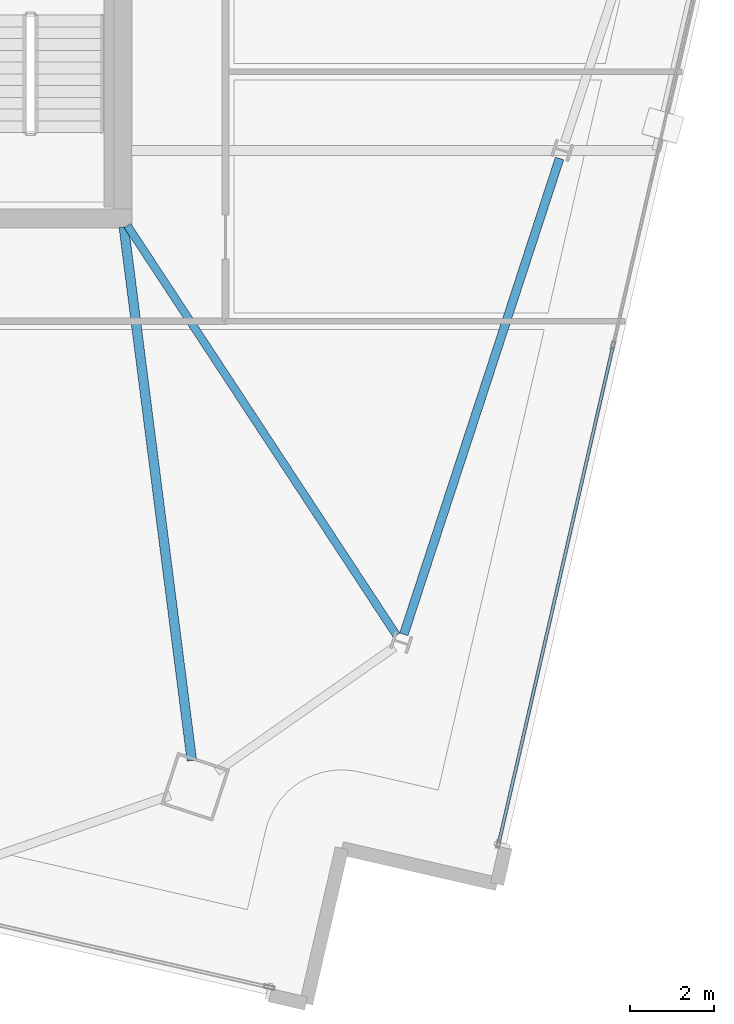
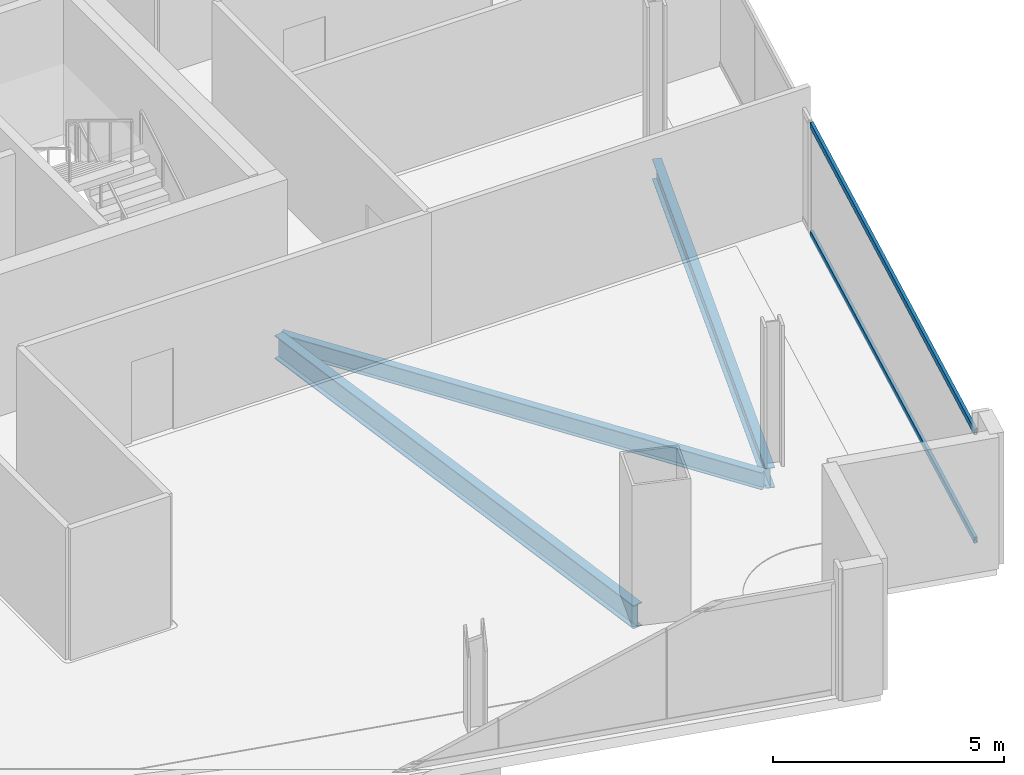
# One storey, part 9 of 28: 3 beams, 2 members, 1 element without a shape of its own.
"""IFC4 building model written with IfcOpenShell, lengths in metres."""

import ifcopenshell
import ifcopenshell.guid

model = None  # the IFC model being written
_history = None  # IfcOwnerHistory: only IFC2X3 demands one
_inside = {}  # id of a spatial element -> (the spatial element, [elements in it])
_under = {}  # id of a project, library or spatial element -> (it, [spatial elements below it])
_declared = {}  # id of a project -> (the project, [libraries it declares])
_typed = {}  # id of a type object -> (the type object, [elements of that type])
_made_of = {}  # id of a material, layer set ... -> (it, [elements and type objects made of it])


def new_model(schema):
    """Start an empty IFC model of exactly this schema.

    Asked for "IFC4X3", IfcOpenShell would pick the latest addendum, in which some entities
    have other attributes; the version numbers below select the first issue.
    IFC2X3 requires an IfcOwnerHistory on every rooted entity: one is made here for all.
    """
    global model, _history
    if schema == "IFC4X3":
        model = ifcopenshell.file(schema_version=(4, 3, 0, 0))
    else:
        model = ifcopenshell.file(schema=schema)
    _inside.clear()
    _under.clear()
    _declared.clear()
    _typed.clear()
    _made_of.clear()
    _history = None
    if model.schema == "IFC2X3":
        org = make("IfcOrganization", Name="unknown")
        user = make(
            "IfcPersonAndOrganization",
            ThePerson=make("IfcPerson", FamilyName="unknown"),
            TheOrganization=org,
        )
        app = make(
            "IfcApplication",
            ApplicationDeveloper=org,
            Version="unknown",
            ApplicationFullName="unknown",
            ApplicationIdentifier="unknown",
        )
        _history = make(
            "IfcOwnerHistory",
            OwningUser=user,
            OwningApplication=app,
            ChangeAction="ADDED",
            CreationDate=0,
        )
    return model


def make(cls, **values):
    """One entity of the class cls with the attributes given. An attribute that is None is left unset."""
    return model.create_entity(
        cls, **{name: value for name, value in values.items() if value is not None}
    )


def rooted(cls, **values):
    """An entity with a GlobalId (a new one), such as an element, a storey or a relation."""
    return make(cls, GlobalId=ifcopenshell.guid.new(), OwnerHistory=_history, **values)


def si_unit(unit_type, name, prefix=None):
    """IfcSIUnit, for example si_unit("LENGTHUNIT", "METRE", prefix="MILLI")."""
    return make("IfcSIUnit", UnitType=unit_type, Prefix=prefix, Name=name)


def assignment(units):
    """IfcUnitAssignment: the units of a project."""
    return None if units is None else make("IfcUnitAssignment", Units=units)


def point(xyz):
    """IfcCartesianPoint."""
    return None if xyz is None else make("IfcCartesianPoint", Coordinates=xyz)


def direction(xyz):
    """IfcDirection."""
    return None if xyz is None else make("IfcDirection", DirectionRatios=xyz)


def frame(location, z_axis=None, x_axis=None):
    """IfcAxis2Placement3D, a coordinate frame: its origin and axes. An axis left out is left unset."""
    return make(
        "IfcAxis2Placement3D",
        Location=point(location),
        Axis=direction(z_axis),
        RefDirection=direction(x_axis),
    )


def frame_2d(location, x_axis=None):
    """IfcAxis2Placement2D, a coordinate frame in the plane: its origin and x axis."""
    return make(
        "IfcAxis2Placement2D", Location=point(location), RefDirection=direction(x_axis)
    )


def origin():
    """The frame at (0, 0, 0) with its axes left unset."""
    return frame((0.0, 0.0, 0.0))


def origin_2d():
    """The frame at (0, 0) in the plane with its x axis left unset."""
    return frame_2d((0.0, 0.0))


def place(relative_to, where):
    """IfcLocalPlacement: puts the frame where relative to a parent placement (None: the world)."""
    return make(
        "IfcLocalPlacement", PlacementRelTo=relative_to, RelativePlacement=where
    )


def context(
    kind, dimensions, precision=None, world=None, true_north=None, identifier=None
):
    """IfcGeometricRepresentationContext, for example the 3D "Model" context."""
    return make(
        "IfcGeometricRepresentationContext",
        ContextIdentifier=identifier,
        ContextType=kind,
        CoordinateSpaceDimension=dimensions,
        Precision=precision,
        WorldCoordinateSystem=world,
        TrueNorth=true_north,
    )


def subcontext(parent, identifier, kind, view, scale=None):
    """IfcGeometricRepresentationSubContext, for example "Body" below "Model"."""
    return make(
        "IfcGeometricRepresentationSubContext",
        ContextIdentifier=identifier,
        ContextType=kind,
        ParentContext=parent,
        TargetScale=scale,
        TargetView=view,
    )


def project(units=None, contexts=None):
    """IfcProject with its units and contexts."""
    return rooted(
        "IfcProject",
        Name="project",
        RepresentationContexts=contexts,
        UnitsInContext=assignment(units),
    )


def spatial(cls, under=None, at=None, **own):
    """A site, building, storey or space (cls), placed at a placement, below another one or the project."""
    s = rooted(cls, ObjectPlacement=at, **own)
    if under is not None:
        _under.setdefault(under.id(), (under, []))[1].append(s)
    return s


def profile(cls, at=None, kind="AREA", **sizes):
    """A parametric profile (cls). Its sizes go by their IFC names, for example OverallWidth=200.0."""
    return make(cls, ProfileType=kind, Position=at, **sizes)


def hollow_rectangle(**sizes):
    """IfcRectangleHollowProfileDef."""
    return profile("IfcRectangleHollowProfileDef", **sizes)


def i_section(**sizes):
    """IfcIShapeProfileDef."""
    return profile("IfcIShapeProfileDef", **sizes)


def extrude(swept, where, along, depth):
    """IfcExtrudedAreaSolid: the profile swept, set in the frame where, extruded along a direction by depth."""
    return make(
        "IfcExtrudedAreaSolid",
        SweptArea=swept,
        Position=where,
        ExtrudedDirection=direction(along),
        Depth=depth,
    )


def shape(context_of_items, identifier, shape_type, items):
    """IfcShapeRepresentation: the items that make up one representation, for example the "Body"."""
    return make(
        "IfcShapeRepresentation",
        ContextOfItems=context_of_items,
        RepresentationIdentifier=identifier,
        RepresentationType=shape_type,
        Items=items,
    )


def material(Name=None, Category=None):
    """IfcMaterial."""
    return make("IfcMaterial", Name=Name, Category=Category)


def material_profile(
    of_material, cross_section, Name=None, Category=None, Priority=None
):
    """IfcMaterialProfile: a cross section and its material."""
    return make(
        "IfcMaterialProfile",
        Name=Name,
        Material=of_material,
        Profile=cross_section,
        Priority=Priority,
        Category=Category,
    )


def profile_set(profiles, Name=None, composite=None):
    """IfcMaterialProfileSet."""
    return make(
        "IfcMaterialProfileSet",
        Name=Name,
        MaterialProfiles=profiles,
        CompositeProfile=composite,
    )


def made_of(thing, what):
    """Note that an element or type object is made of a material, layer set ...; save() writes the relation."""
    if what is not None:
        _made_of.setdefault(what.id(), (what, []))[1].append(thing)
    return thing


def type_object(cls, material=None, **own):
    """A type object (cls), such as IfcWallType, which elements share."""
    return made_of(rooted(cls, **own), material)


def element(
    cls,
    number,
    at=None,
    inside=None,
    cuts=None,
    type_object=None,
    material=None,
    context=None,
    identifier="Body",
    shape_type=None,
    held_by="IfcProductDefinitionShape",
    body=None,
    shapes=None,
    **own,
):
    """One element of the class cls, such as IfcWall. Its Tag is "e" and its number.

    at: its placement. inside: the storey or other place that contains it. cuts: it is an
    opening in that element (IfcRelVoidsElement). A single representation is given by context,
    identifier, shape_type and body (its items); several are given by shapes. held_by: the class
    of the entity that holds the representations. save() writes the other relations.
    """
    e = rooted(cls, Tag="e%d" % number, ObjectPlacement=at, **own)
    if body is not None:
        shapes = [shape(context, identifier, shape_type, body)]
    if shapes is not None:
        e.Representation = make(held_by, Representations=shapes)
    if inside is not None:
        _inside.setdefault(inside.id(), (inside, []))[1].append(e)
    if cuts is not None:
        rooted(
            "IfcRelVoidsElement", RelatingBuildingElement=cuts, RelatedOpeningElement=e
        )
    if type_object is not None:
        _typed.setdefault(type_object.id(), (type_object, []))[1].append(e)
    return made_of(e, material)


def aggregate(whole, parts):
    """IfcRelAggregates: a whole, such as a stair, and the parts it consists of."""
    return rooted("IfcRelAggregates", RelatingObject=whole, RelatedObjects=parts)


def save(model, path):
    """Write the relations noted so far, then the file.

    IfcRelAggregates (storeys below a building ...), IfcRelContainedInSpatialStructure (elements
    in a storey), IfcRelDefinesByType, IfcRelAssociatesMaterial and IfcRelDeclares: one each for
    every whole, place, type object, material and project.
    """
    for whole, parts in _under.values():
        aggregate(whole, parts)
    for where, things in _inside.values():
        rooted(
            "IfcRelContainedInSpatialStructure",
            RelatedElements=things,
            RelatingStructure=where,
        )
    for kind, things in _typed.values():
        rooted("IfcRelDefinesByType", RelatedObjects=things, RelatingType=kind)
    for what, things in _made_of.values():
        rooted("IfcRelAssociatesMaterial", RelatedObjects=things, RelatingMaterial=what)
    for by, libraries in _declared.values():
        rooted("IfcRelDeclares", RelatingContext=by, RelatedDefinitions=libraries)
    model.write(path)


model = new_model("IFC4")

# Units and contexts
model_context = context("Model", 3, precision=1e-05, world=origin(), true_north=direction((0.0, 1.0)))
body_context = subcontext(model_context, "Body", "Model", "MODEL_VIEW")
ifc_project = project(units=[si_unit("LENGTHUNIT", "METRE"), si_unit("AREAUNIT", "SQUARE_METRE"), si_unit("VOLUMEUNIT", "CUBIC_METRE"), si_unit("PLANEANGLEUNIT", "RADIAN"), si_unit("MASSUNIT", "GRAM", prefix="KILO")], contexts=[model_context])

# Site, building, storey
site_placement = place(None, origin())
site = spatial("IfcSite", under=ifc_project, at=site_placement, CompositionType="ELEMENT")
building_placement = place(site_placement, origin())
building = spatial("IfcBuilding", under=site, at=building_placement, Name="Haldenkirk Collegiate Tower", CompositionType="ELEMENT")
storey_placement = place(building_placement, frame((0.0, 0.0, 286.199951171875)))
storey = spatial("IfcBuildingStorey", under=building, at=storey_placement, Name="L72", CompositionType="ELEMENT", Elevation=286.199951171875)

# Beams
ifc_material_1 = material(Name="Steel ASTM A992 Grade 50", Category="steel")
ifc_material_profile_1 = material_profile(ifc_material_1, i_section(OverallWidth=0.22998046875, OverallDepth=0.616943359375, WebThickness=0.01318359375, FlangeThickness=0.022216796875, at=origin_2d()), Name="W24X94")
ifc_profile_set_1 = profile_set([ifc_material_profile_1], Name="Steel ASTM A992 Grade 50")
beam_type_1 = type_object("IfcBeamType", Name="BM-GIRDER-W24X94", PredefinedType="BEAM", material=ifc_profile_set_1)
beam_1_placement = place(storey_placement, frame((46.6484375, 5.0693359375, -0.578369140625), z_axis=(-0.126462976839, 0.991971327957, 0.0), x_axis=(-0.991971327957, -0.126462976839, 0.0)))
element("IfcBeam", 1, at=beam_1_placement, inside=storey, type_object=beam_type_1, Name="L72 primary floor girder 01", PredefinedType="BEAM", context=body_context, shape_type="SweptSolid", body=[
    extrude(i_section(OverallWidth=0.22998046875, OverallDepth=0.616943359375, WebThickness=0.01318359375, FlangeThickness=0.022216796875, at=origin_2d()), origin(), (0.0, 0.0, 1.0), 12.830322265625),
])
ifc_material_profile_2 = material_profile(ifc_material_1, i_section(OverallWidth=0.18994140625, OverallDepth=0.45703125, WebThickness=0.009033203125, FlangeThickness=0.014404296875, at=origin_2d()), Name="W18X50")
ifc_profile_set_2 = profile_set([ifc_material_profile_2], Name="Steel ASTM A992 Grade 50")
beam_type_2 = type_object("IfcBeamType", Name="BM-JOIST-W18X50", PredefinedType="JOIST", material=ifc_profile_set_2)
beam_2_placement = place(storey_placement, frame((51.53173828125, 8.057861328125, -0.49853515625), z_axis=(-0.549082872731, 0.835767909693, 0.0), x_axis=(-0.835767909693, -0.549082872731, 0.0)))
element("IfcBeam", 2, at=beam_2_placement, inside=storey, type_object=beam_type_2, Name="L72 composite floor joist 05", PredefinedType="JOIST", context=body_context, shape_type="SweptSolid", body=[
    extrude(i_section(OverallWidth=0.18994140625, OverallDepth=0.45703125, WebThickness=0.009033203125, FlangeThickness=0.014404296875, at=origin_2d()), origin(), (0.0, 0.0, 1.0), 11.690673828125),
])
ifc_material_profile_3 = material_profile(ifc_material_1, i_section(OverallWidth=0.2099609375, OverallDepth=0.537109375, WebThickness=0.010986328125, FlangeThickness=0.017333984375, at=origin_2d()), Name="W21X68")
ifc_profile_set_3 = profile_set([ifc_material_profile_3], Name="Steel ASTM A992 Grade 50")
beam_type_3 = type_object("IfcBeamType", Name="BM-SPANDREL-W21X68", PredefinedType="SPANDREL", material=ifc_profile_set_3)
beam_3_placement = place(storey_placement, frame((51.7060546875, 8.081298828125, -0.538330078125), z_axis=(0.311010188249, 0.950406577631, 0.0), x_axis=(-0.950406577631, 0.311010188249, 0.0)))
element("IfcBeam", 3, at=beam_3_placement, inside=storey, type_object=beam_type_3, Name="L72 perimeter spandrel beam 02", PredefinedType="SPANDREL", context=body_context, shape_type="SweptSolid", body=[
    extrude(i_section(OverallWidth=0.2099609375, OverallDepth=0.537109375, WebThickness=0.010986328125, FlangeThickness=0.017333984375, at=origin_2d()), origin(), (0.0, 0.0, 1.0), 11.94287109375),
])

# Curtain wall, members
ifc_material_2 = material(Name="Anodised architectural bronze aluminium", Category="aluminium")
curtain_wall_type = type_object("IfcCurtainWallType", Name="CW-SYS2-CONCAVE", PredefinedType="USERDEFINED", material=ifc_material_2)
curtain_wall_placement = place(storey_placement, origin())
curtain_wall = element("IfcCurtainWall", 4, at=curtain_wall_placement, inside=storey, type_object=curtain_wall_type, Name="L72 South concave recessed bronze-anodised curtain wall", ObjectType="UNITISED CURTAIN WALL", PredefinedType="USERDEFINED")
ifc_material_profile_4 = material_profile(ifc_material_2, hollow_rectangle(XDim=0.074951171875, YDim=0.159912109375, WallThickness=0.0048828125, at=origin_2d()), Name="CW-TRN-02")
ifc_profile_set_4 = profile_set([ifc_material_profile_4], Name="Anodised architectural bronze aluminium")
member_type = type_object("IfcMemberType", Name="CW-TRN-02", PredefinedType="USERDEFINED", material=ifc_profile_set_4)
member_1_placement = place(storey_placement, frame((56.68994140625, 14.927490234375, 0.03759765625), z_axis=(-0.224103310361, -0.97456539354, 0.0), x_axis=(0.97456539354, -0.224103310361, 0.0)))
member_1 = element("IfcMember", 5, at=member_1_placement, type_object=member_type, Name="CW-02 transom 3.1", ObjectType="TRANSOM", PredefinedType="USERDEFINED", context=body_context, shape_type="SweptSolid", body=[
    extrude(hollow_rectangle(XDim=0.074951171875, YDim=0.159912109375, WallThickness=0.0048828125, at=origin_2d()), origin(), (0.0, 0.0, 1.0), 12.120849609375),
])
member_2_placement = place(storey_placement, frame((56.68994140625, 14.927490234375, 2.900634765625), z_axis=(-0.224103310361, -0.97456539354, 0.0), x_axis=(0.97456539354, -0.224103310361, 0.0)))
member_2 = element("IfcMember", 6, at=member_2_placement, type_object=member_type, Name="CW-02 transom 3.2", ObjectType="TRANSOM", PredefinedType="USERDEFINED", context=body_context, shape_type="SweptSolid", body=[
    extrude(hollow_rectangle(XDim=0.074951171875, YDim=0.159912109375, WallThickness=0.0048828125, at=origin_2d()), origin(), (0.0, 0.0, 1.0), 12.120849609375),
])
aggregate(curtain_wall, [member_1, member_2])

save(model, "model.ifc")
